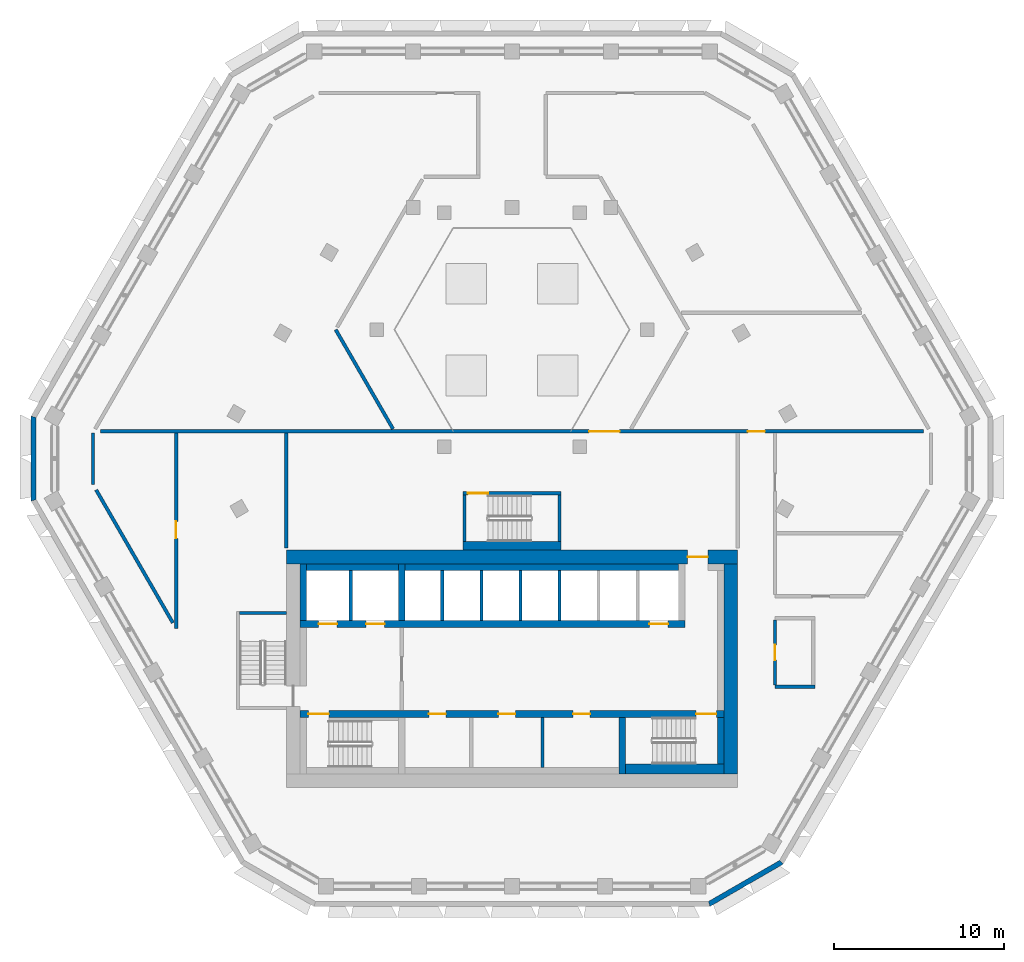
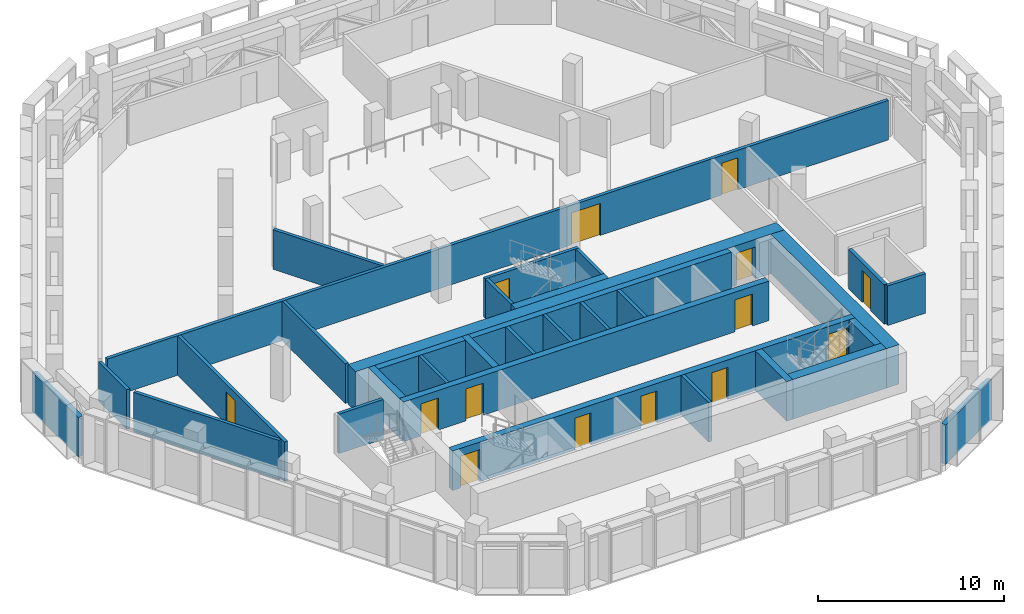
# One storey, part 12 of 22: 32 walls, 14 doors, 14 openings.
"""IFC4 building model written with IfcOpenShell, lengths in metres."""

from ifc_helpers import new_model, si_unit, direction, frame, frame_2d, origin, place, context, subcontext, project, spatial, polyline, rectangle, outline, extrude, material, layer, layer_set, type_object, element, fill, save


model = new_model("IFC4")

# Units and contexts
model_context = context("Model", 3, precision=1e-05, world=origin(), true_north=direction((0.0, 1.0)))
body_context = subcontext(model_context, "Body", "Model", "MODEL_VIEW")
ifc_project = project(units=[si_unit("LENGTHUNIT", "METRE"), si_unit("AREAUNIT", "SQUARE_METRE"), si_unit("VOLUMEUNIT", "CUBIC_METRE"), si_unit("PLANEANGLEUNIT", "RADIAN"), si_unit("MASSUNIT", "GRAM", prefix="KILO")], contexts=[model_context])

# Site, building, storey
site_placement = place(None, origin())
site = spatial("IfcSite", under=ifc_project, at=site_placement, CompositionType="ELEMENT")
building_placement = place(site_placement, origin())
building = spatial("IfcBuilding", under=site, at=building_placement, Name="Beryl Residences", CompositionType="ELEMENT")
storey_placement = place(building_placement, frame((0.0, 0.0, 153.60009765625)))
storey = spatial("IfcBuildingStorey", under=building, at=storey_placement, Name="L47", CompositionType="ELEMENT", Elevation=153.60009765625)

# Walls
ifc_material_1 = material(Name="Composite metal panel with mineral wool insulation")
ifc_layer_1 = layer(ifc_material_1, 0.300048828125)
ifc_layer_set_1 = layer_set([ifc_layer_1], Name="ES1 pale metal composite panel wall 300 mm")
wall_type_1 = type_object("IfcWallType", Name="ES1 pale metal composite panel wall 300 mm", PredefinedType="SOLIDWALL", material=ifc_layer_set_1)
for number, where, z_axis, x_axis, name in (
    (1, (-28.197998046875, 2.89990234375, 0.0), (0.0, 0.0, 1.0), (0.0, -1.0, 0.0), "ES1 external wall L47 NW-SW"),
    (2, (11.5869140625, -25.8701171875, 0.0), (0.0, 0.0, 1.0), (0.866022959057, 0.500004234368, 0.0), "ES1 external wall L47 S-SE"),
):
    element("IfcWall", number, at=place(storey_placement, frame(where, z_axis=z_axis, x_axis=x_axis)), inside=storey, type_object=wall_type_1, Name=name, PredefinedType="SOLIDWALL", context=body_context, shape_type="SweptSolid", body=[
        extrude(outline(polyline([(0.0, -0.14990234375), (5.0, -0.14990234375), (4.919677734375, 0.14990234375), (0.080322265625, 0.14990234375), (0.0, -0.14990234375)])), origin(), (0.0, 0.0, 1.0), 2.599853515625),
    ])
ifc_material_2 = material(Name="Cement board with tiles")
ifc_layer_2 = layer(ifc_material_2, 0.199951171875)
ifc_layer_set_2 = layer_set([ifc_layer_2], Name="PT11-200 wet area wall 200 mm")
wall_type_2 = type_object("IfcWallType", Name="PT11-200 wet area wall 200 mm", PredefinedType="PARTITIONING", material=ifc_layer_set_2)
wall_1_placement = place(storey_placement, frame((15.5, -13.052001953125, 0.0), z_axis=(0.0, 0.0, 1.0), x_axis=(1.0, 0.0, 0.0)))
element("IfcWall", 3, at=wall_1_placement, inside=storey, type_object=wall_type_2, Name="Wall PT11-200 L47 001", PredefinedType="PARTITIONING", context=body_context, shape_type="SweptSolid", body=[
    extrude(rectangle(XDim=2.35009765625, YDim=0.199951171875, at=frame_2d((1.175048828125, 0.0))), origin(), (0.0, 0.0, 1.0), 2.599853515625),
])

# Wall, opening, door
wall_2_placement = place(storey_placement, frame((15.5, -12.951904296875, 0.0), z_axis=(0.0, 0.0, 1.0), x_axis=(0.0, 1.0, 0.0)))
wall_2 = element("IfcWall", 4, at=wall_2_placement, inside=storey, type_object=wall_type_2, Name="Wall PT11-200 L47 003", PredefinedType="PARTITIONING", context=body_context, shape_type="SweptSolid", body=[
    extrude(rectangle(XDim=3.851806640625, YDim=0.199951171875, at=frame_2d((1.92578125, 0.0))), origin(), (0.0, 0.0, 1.0), 2.599853515625),
])
opening_1_placement = place(wall_2_placement, frame((2.3759765625, 0.0, 0.0), z_axis=(0.0, 0.0, 1.0), x_axis=(-1.0, 0.0, 0.0)))
opening_1 = element("IfcOpeningElement", 5, at=opening_1_placement, cuts=wall_2, Name="Opening L47-02", PredefinedType="OPENING", context=body_context, shape_type="SweptSolid", body=[
    extrude(rectangle(XDim=0.89990234375, YDim=2.10009765625, at=frame_2d((0.449951171875, 1.050048828125))), frame((0.0, 0.10986328125, 0.0), z_axis=(0.0, -1.0, 0.0), x_axis=(1.0, 0.0, 0.0)), (0.0, 0.0, 1.0), 0.219970703125),
])
ifc_material_3 = material(Name="Timber door leaf", Category="wood")
door_type_1 = type_object("IfcDoorType", Name="D2 room door 900 x 2100 mm", OperationType="SINGLE_SWING_LEFT", PredefinedType="DOOR", material=ifc_material_3)
door_1_placement = place(opening_1_placement, origin())
door_1 = element("IfcDoor", 6, at=door_1_placement, inside=storey, type_object=door_type_1, Name="Door L47-02 L47 001", OperationType="SINGLE_SWING_LEFT", OverallHeight=2.10009765625, OverallWidth=0.89990234375, PredefinedType="DOOR", context=body_context, shape_type="SweptSolid", body=[
    extrude(rectangle(XDim=0.89990234375, YDim=2.10009765625, at=frame_2d((0.449951171875, 1.050048828125))), frame((0.0, 0.02490234375, 0.0), z_axis=(0.0, -1.0, 0.0), x_axis=(1.0, 0.0, 0.0)), (0.0, 0.0, 1.0), 0.050048828125),
])
fill(opening_1, door_1)

# Wall
ifc_material_4 = material(Name="Double stud gypsum board wall")
ifc_layer_3 = layer(ifc_material_4, 0.199951171875)
ifc_layer_set_3 = layer_set([ifc_layer_3], Name="PT4 corridor wall 200 mm double stud")
wall_type_3 = type_object("IfcWallType", Name="PT4 corridor wall 200 mm double stud", PredefinedType="PARTITIONING", material=ifc_layer_set_3)
wall_3_placement = place(storey_placement, frame((-13.300048828125, -4.8798828125, 0.0), z_axis=(0.0, 0.0, 1.0), x_axis=(0.0, 1.0, 0.0)))
element("IfcWall", 7, at=wall_3_placement, inside=storey, type_object=wall_type_3, Name="Wall PT4 L47 001", PredefinedType="PARTITIONING", context=body_context, shape_type="SweptSolid", body=[
    extrude(rectangle(XDim=6.77978515625, YDim=0.199951171875, at=frame_2d((3.389892578125, 0.0))), origin(), (0.0, 0.0, 1.0), 2.599853515625),
])

# Wall, opening, door
ifc_material_5 = material(Name="Concrete C40/50", Category="concrete")
ifc_layer_4 = layer(ifc_material_5, 0.199951171875)
ifc_layer_set_4 = layer_set([ifc_layer_4], Name="PT5 stair enclosure wall 200 mm reinforced concrete C40/50")
wall_type_4 = type_object("IfcWallType", Name="PT5 stair enclosure wall 200 mm reinforced concrete C40/50", PredefinedType="SOLIDWALL", material=ifc_layer_set_4)
wall_4_placement = place(storey_placement, frame((-2.89990234375, -1.64990234375, 0.0), z_axis=(0.0, 0.0, 1.0), x_axis=(1.0, 0.0, 0.0)))
wall_4 = element("IfcWall", 8, at=wall_4_placement, inside=storey, type_object=wall_type_4, Name="Wall PT5 L47 001", PredefinedType="SOLIDWALL", context=body_context, shape_type="SweptSolid", body=[
    extrude(rectangle(XDim=5.7998046875, YDim=0.199951171875, at=frame_2d((2.89990234375, 0.0))), origin(), (0.0, 0.0, 1.0), 2.599853515625),
])
opening_2_placement = place(wall_4_placement, frame((0.300048828125, 0.0, 0.0)))
opening_2 = element("IfcOpeningElement", 9, at=opening_2_placement, cuts=wall_4, Name="Opening DS04", PredefinedType="OPENING", context=body_context, shape_type="SweptSolid", body=[
    extrude(rectangle(XDim=1.199951171875, YDim=2.10009765625, at=frame_2d((0.60009765625, 1.050048828125))), frame((0.0, 0.10986328125, 0.0), z_axis=(0.0, -1.0, 0.0), x_axis=(1.0, 0.0, 0.0)), (0.0, 0.0, 1.0), 0.219970703125),
])
ifc_material_6 = material(Name="Steel door leaf in steel frame", Category="steel")
door_type_2 = type_object("IfcDoorType", Name="D4 stair door 1200 x 2100 mm", OperationType="SINGLE_SWING_LEFT", PredefinedType="DOOR", material=ifc_material_6)
door_2_placement = place(opening_2_placement, origin())
door_2 = element("IfcDoor", 10, at=door_2_placement, inside=storey, type_object=door_type_2, Name="Door DS04 L47 001", OperationType="SINGLE_SWING_LEFT", OverallHeight=2.10009765625, OverallWidth=1.199951171875, PredefinedType="DOOR", context=body_context, shape_type="SweptSolid", body=[
    extrude(rectangle(XDim=1.199951171875, YDim=2.10009765625, at=frame_2d((0.60009765625, 1.050048828125))), frame((0.0, 0.02490234375, 0.0), z_axis=(0.0, -1.0, 0.0), x_axis=(1.0, 0.0, 0.0)), (0.0, 0.0, 1.0), 0.050048828125),
])
fill(opening_2, door_2)

# Walls
for number, where, z_axis, x_axis, name in (
    (11, (-2.800048828125, -4.5, 0.0), (0.0, 0.0, 1.0), (0.0, 1.0, 0.0), "Wall PT5 L47 002"),
    (12, (2.800048828125, -4.5, 0.0), (0.0, 0.0, 1.0), (0.0, 1.0, 0.0), "Wall PT5 L47 003"),
    (13, (-16.050048828125, -8.699951171875, 0.0), (0.0, 0.0, 1.0), (1.0, 0.0, 0.0), "Stair wall 03"),
):
    element("IfcWall", number, at=place(storey_placement, frame(where, z_axis=z_axis, x_axis=x_axis)), inside=storey, type_object=wall_type_4, Name=name, PredefinedType="SOLIDWALL", context=body_context, shape_type="SweptSolid", body=[
        extrude(rectangle(XDim=2.75, YDim=0.199951171875, at=frame_2d((1.375, 0.0))), origin(), (0.0, 0.0, 1.0), 2.599853515625),
    ])
ifc_material_7 = material(Name="Concrete C40/50", Category="concrete")
ifc_layer_5 = layer(ifc_material_7, 0.39990234375)
ifc_layer_set_5 = layer_set([ifc_layer_5], Name="PT5-400 stair enclosure wall 400 mm")
wall_type_5 = type_object("IfcWallType", Name="PT5-400 stair enclosure wall 400 mm", PredefinedType="SOLIDWALL", material=ifc_layer_set_5)
wall_5_placement = place(storey_placement, frame((12.300048828125, -17.60009765625, 0.0), z_axis=(0.0, 0.0, 1.0), x_axis=(0.0, 1.0, 0.0)))
element("IfcWall", 14, at=wall_5_placement, inside=storey, type_object=wall_type_5, Name="Stair wall 24", PredefinedType="SOLIDWALL", context=body_context, shape_type="SweptSolid", body=[
    extrude(rectangle(XDim=2.75, YDim=0.39990234375, at=frame_2d((1.375, 0.0))), origin(), (0.0, 0.0, 1.0), 2.599853515625),
])
ifc_material_8 = material(Name="Concrete C40/50", Category="concrete")
ifc_layer_6 = layer(ifc_material_8, 0.5)
ifc_layer_set_6 = layer_set([ifc_layer_6], Name="PT5-500 stair enclosure wall 500 mm")
wall_type_6 = type_object("IfcWallType", Name="PT5-500 stair enclosure wall 500 mm", PredefinedType="SOLIDWALL", material=ifc_layer_set_6)
wall_6_placement = place(storey_placement, frame((-2.89990234375, -4.75, 0.0), z_axis=(0.0, 0.0, 1.0), x_axis=(1.0, 0.0, 0.0)))
element("IfcWall", 15, at=wall_6_placement, inside=storey, type_object=wall_type_6, Name="Wall PT5-500 L47 001", PredefinedType="SOLIDWALL", context=body_context, shape_type="SweptSolid", body=[
    extrude(rectangle(XDim=5.7998046875, YDim=0.5, at=frame_2d((2.89990234375, 0.0))), origin(), (0.0, 0.0, 1.0), 2.599853515625),
])
ifc_material_9 = material(Name="Concrete C40/50", Category="concrete")
ifc_layer_7 = layer(ifc_material_9, 0.60009765625)
ifc_layer_set_7 = layer_set([ifc_layer_7], Name="PT5-600 stair enclosure wall 600 mm")
wall_type_7 = type_object("IfcWallType", Name="PT5-600 stair enclosure wall 600 mm", PredefinedType="SOLIDWALL", material=ifc_layer_set_7)
wall_7_placement = place(storey_placement, frame((6.699951171875, -17.89990234375, 0.0), z_axis=(0.0, 0.0, 1.0), x_axis=(1.0, 0.0, 0.0)))
element("IfcWall", 16, at=wall_7_placement, inside=storey, type_object=wall_type_7, Name="Stair wall 21", PredefinedType="SOLIDWALL", context=body_context, shape_type="SweptSolid", body=[
    extrude(rectangle(XDim=5.800048828125, YDim=0.60009765625, at=frame_2d((2.89990234375, 0.0))), origin(), (0.0, 0.0, 1.0), 2.599853515625),
])
ifc_material_10 = material(Name="Concrete C40/50", Category="concrete")
ifc_layer_8 = layer(ifc_material_10, 0.199951171875)
ifc_layer_set_8 = layer_set([ifc_layer_8], Name="PT6 lift shaft wall 200 mm reinforced concrete C40/50")
wall_type_8 = type_object("IfcWallType", Name="PT6 lift shaft wall 200 mm reinforced concrete C40/50", PredefinedType="SOLIDWALL", material=ifc_layer_set_8)
for number, where, z_axis, x_axis, name in (
    (17, (-9.5, -9.14990234375, 0.0), (0.0, 0.0, 1.0), (0.0, 1.0, 0.0), "Lift shaft wall 10"),
    (18, (-4.10009765625, -9.14990234375, 0.0), (0.0, 0.0, 1.0), (0.0, 1.0, 0.0), "Lift shaft wall 14"),
    (19, (-1.800048828125, -9.14990234375, 0.0), (0.0, 0.0, 1.0), (0.0, 1.0, 0.0), "Lift shaft wall 16"),
    (20, (0.5, -9.14990234375, 0.0), (0.0, 0.0, 1.0), (0.0, 1.0, 0.0), "Lift shaft wall 17"),
    (21, (2.800048828125, -9.14990234375, 0.0), (0.0, 0.0, 1.0), (0.0, 1.0, 0.0), "Lift shaft wall 19"),
):
    element("IfcWall", number, at=place(storey_placement, frame(where, z_axis=z_axis, x_axis=x_axis)), inside=storey, type_object=wall_type_8, Name=name, PredefinedType="SOLIDWALL", context=body_context, shape_type="SweptSolid", body=[
        extrude(rectangle(XDim=2.949951171875, YDim=0.199951171875, at=frame_2d((1.47509765625, 0.0))), origin(), (0.0, 0.0, 1.0), 2.599853515625),
    ])
ifc_material_11 = material(Name="Concrete C40/50", Category="concrete")
ifc_layer_9 = layer(ifc_material_11, 0.39990234375)
ifc_layer_set_9 = layer_set([ifc_layer_9], Name="PT6-400 lift shaft wall 400 mm")
wall_type_9 = type_object("IfcWallType", Name="PT6-400 lift shaft wall 400 mm", PredefinedType="SOLIDWALL", material=ifc_layer_set_9)
wall_8_placement = place(storey_placement, frame((-12.300048828125, -9.14990234375, 0.0), z_axis=(0.0, 0.0, 1.0), x_axis=(0.0, 1.0, 0.0)))
element("IfcWall", 22, at=wall_8_placement, inside=storey, type_object=wall_type_9, Name="Lift shaft wall 06", PredefinedType="SOLIDWALL", context=body_context, shape_type="SweptSolid", body=[
    extrude(rectangle(XDim=3.349853515625, YDim=0.39990234375, at=frame_2d((1.6748046875, 0.0))), origin(), (0.0, 0.0, 1.0), 2.599853515625),
])
wall_9_placement = place(storey_placement, frame((-12.10009765625, -6.0, 0.0), z_axis=(0.0, 0.0, 1.0), x_axis=(1.0, 0.0, 0.0)))
element("IfcWall", 23, at=wall_9_placement, inside=storey, type_object=wall_type_9, Name="Lift shaft wall 08", PredefinedType="SOLIDWALL", context=body_context, shape_type="SweptSolid", body=[
    extrude(rectangle(XDim=5.400146484375, YDim=0.39990234375, at=frame_2d((2.7001953125, 0.0))), origin(), (0.0, 0.0, 1.0), 2.599853515625),
])
wall_10_placement = place(storey_placement, frame((-6.300048828125, -6.0, 0.0), z_axis=(0.0, 0.0, 1.0), x_axis=(1.0, 0.0, 0.0)))
element("IfcWall", 24, at=wall_10_placement, inside=storey, type_object=wall_type_9, Name="Lift shaft wall 13", PredefinedType="SOLIDWALL", context=body_context, shape_type="SweptSolid", body=[
    extrude(rectangle(XDim=16.10009765625, YDim=0.39990234375, at=frame_2d((8.050048828125, 0.0))), origin(), (0.0, 0.0, 1.0), 2.599853515625),
])
ifc_material_12 = material(Name="Concrete masonry", Category="masonry")
ifc_layer_10 = layer(ifc_material_12, 0.199951171875)
ifc_layer_set_10 = layer_set([ifc_layer_10], Name="PT8-200 service room wall 200 mm")
wall_type_10 = type_object("IfcWallType", Name="PT8-200 service room wall 200 mm", PredefinedType="PARTITIONING", material=ifc_layer_set_10)
wall_11_placement = place(storey_placement, frame((1.800048828125, -17.800048828125, 0.0), z_axis=(0.0, 0.0, 1.0), x_axis=(0.0, 1.0, 0.0)))
element("IfcWall", 25, at=wall_11_placement, inside=storey, type_object=wall_type_10, Name="Core room wall 18", PredefinedType="PARTITIONING", context=body_context, shape_type="SweptSolid", body=[
    extrude(rectangle(XDim=2.949951171875, YDim=0.199951171875, at=frame_2d((1.47509765625, 0.0))), origin(), (0.0, 0.0, 1.0), 2.599853515625),
])

# Wall, openings, doors
ifc_material_13 = material(Name="Concrete C40/50", Category="concrete")
ifc_layer_11 = layer(ifc_material_13, 0.199951171875)
ifc_layer_set_11 = layer_set([ifc_layer_11], Name="PT9-200 plant room wall 200 mm")
wall_type_11 = type_object("IfcWallType", Name="PT9-200 plant room wall 200 mm", PredefinedType="SOLIDWALL", material=ifc_layer_set_11)
wall_12_placement = place(storey_placement, frame((-24.2529296875, 2.0, 0.0), z_axis=(0.0, 0.0, 1.0), x_axis=(1.0, 0.0, 0.0)))
wall_12 = element("IfcWall", 26, at=wall_12_placement, inside=storey, type_object=wall_type_11, Name="Wall PT9-200 L47 002", PredefinedType="SOLIDWALL", context=body_context, shape_type="SweptSolid", body=[
    extrude(rectangle(XDim=48.505859375, YDim=0.199951171875, at=frame_2d((24.2529296875, 0.0))), origin(), (0.0, 0.0, 1.0), 2.599853515625),
])
opening_3_placement = place(wall_12_placement, frame((38.153076171875, 0.0, 0.0)))
opening_3 = element("IfcOpeningElement", 27, at=opening_3_placement, cuts=wall_12, Name="Opening L47-05", PredefinedType="OPENING", context=body_context, shape_type="SweptSolid", body=[
    extrude(rectangle(XDim=1.0, YDim=2.10009765625, at=frame_2d((0.5, 1.050048828125))), frame((0.0, 0.10986328125, 0.0), z_axis=(0.0, -1.0, 0.0), x_axis=(1.0, 0.0, 0.0)), (0.0, 0.0, 1.0), 0.219970703125),
])
opening_4_placement = place(wall_12_placement, frame((28.801025390625, 0.0, 0.0)))
opening_4 = element("IfcOpeningElement", 28, at=opening_4_placement, cuts=wall_12, Name="Opening L47-08", PredefinedType="OPENING", context=body_context, shape_type="SweptSolid", body=[
    extrude(rectangle(XDim=1.800048828125, YDim=2.10009765625, at=frame_2d((0.89990234375, 1.050048828125))), frame((0.0, 0.10986328125, 0.0), z_axis=(0.0, -1.0, 0.0), x_axis=(1.0, 0.0, 0.0)), (0.0, 0.0, 1.0), 0.219970703125),
])
ifc_material_14 = material(Name="Steel door leaf in steel frame", Category="steel")
door_type_3 = type_object("IfcDoorType", Name="D16 plant room door 1000 x 2100 mm", OperationType="SINGLE_SWING_LEFT", PredefinedType="DOOR", material=ifc_material_14)
door_3_placement = place(opening_3_placement, origin())
door_3 = element("IfcDoor", 29, at=door_3_placement, inside=storey, type_object=door_type_3, Name="Door L47-05 L47 001", OperationType="SINGLE_SWING_LEFT", OverallHeight=2.10009765625, OverallWidth=1.0, PredefinedType="DOOR", context=body_context, shape_type="SweptSolid", body=[
    extrude(rectangle(XDim=1.0, YDim=2.10009765625, at=frame_2d((0.5, 1.050048828125))), frame((0.0, 0.02490234375, 0.0), z_axis=(0.0, -1.0, 0.0), x_axis=(1.0, 0.0, 0.0)), (0.0, 0.0, 1.0), 0.050048828125),
])
fill(opening_3, door_3)
ifc_material_15 = material(Name="Timber door leaf", Category="wood")
door_type_4 = type_object("IfcDoorType", Name="D20 corridor door 1800 x 2100 mm", OperationType="DOUBLE_DOOR_SINGLE_SWING", PredefinedType="DOOR", material=ifc_material_15)
door_4_placement = place(opening_4_placement, origin())
door_4 = element("IfcDoor", 30, at=door_4_placement, inside=storey, type_object=door_type_4, Name="Door L47-08 L47 001", OperationType="DOUBLE_DOOR_SINGLE_SWING", OverallHeight=2.10009765625, OverallWidth=1.800048828125, PredefinedType="DOOR", context=body_context, shape_type="SweptSolid", body=[
    extrude(rectangle(XDim=1.800048828125, YDim=2.10009765625, at=frame_2d((0.89990234375, 1.050048828125))), frame((0.0, 0.02490234375, 0.0), z_axis=(0.0, -1.0, 0.0), x_axis=(1.0, 0.0, 0.0)), (0.0, 0.0, 1.0), 0.050048828125),
])
fill(opening_4, door_4)

# Wall
wall_13_placement = place(storey_placement, frame((-24.697998046875, -1.1220703125, 0.0), z_axis=(0.0, 0.0, 1.0), x_axis=(0.0, 1.0, 0.0)))
element("IfcWall", 31, at=wall_13_placement, inside=storey, type_object=wall_type_11, Name="Wall PT9-200 L47 008", PredefinedType="SOLIDWALL", context=body_context, shape_type="SweptSolid", body=[
    extrude(rectangle(XDim=3.044189453125, YDim=0.199951171875, at=frame_2d((1.52197265625, 0.0))), origin(), (0.0, 0.0, 1.0), 2.599853515625),
])

# Wall, opening, door
wall_14_placement = place(storey_placement, frame((-19.800048828125, -9.60498046875, 0.0), z_axis=(0.0, 0.0, 1.0), x_axis=(0.0, 1.0, 0.0)))
wall_14 = element("IfcWall", 32, at=wall_14_placement, inside=storey, type_object=wall_type_11, Name="Wall PT9-200 L47 009", PredefinedType="SOLIDWALL", context=body_context, shape_type="SweptSolid", body=[
    extrude(rectangle(XDim=11.5048828125, YDim=0.199951171875, at=frame_2d((5.75244140625, 0.0))), origin(), (0.0, 0.0, 1.0), 2.599853515625),
])
opening_5_placement = place(wall_14_placement, frame((5.302001953125, 0.0, 0.0)))
opening_5 = element("IfcOpeningElement", 33, at=opening_5_placement, cuts=wall_14, Name="Opening L47-01", PredefinedType="OPENING", context=body_context, shape_type="SweptSolid", body=[
    extrude(rectangle(XDim=1.0, YDim=2.10009765625, at=frame_2d((0.5, 1.050048828125))), frame((0.0, 0.10986328125, 0.0), z_axis=(0.0, -1.0, 0.0), x_axis=(1.0, 0.0, 0.0)), (0.0, 0.0, 1.0), 0.219970703125),
])
door_5_placement = place(opening_5_placement, origin())
door_5 = element("IfcDoor", 34, at=door_5_placement, inside=storey, type_object=door_type_3, Name="Door L47-01 L47 001", OperationType="SINGLE_SWING_LEFT", OverallHeight=2.10009765625, OverallWidth=1.0, PredefinedType="DOOR", context=body_context, shape_type="SweptSolid", body=[
    extrude(rectangle(XDim=1.0, YDim=2.10009765625, at=frame_2d((0.5, 1.050048828125))), frame((0.0, 0.02490234375, 0.0), z_axis=(0.0, -1.0, 0.0), x_axis=(1.0, 0.0, 0.0)), (0.0, 0.0, 1.0), 0.050048828125),
])
fill(opening_5, door_5)

# Walls
wall_15_placement = place(storey_placement, frame((-24.510986328125, -1.445068359375, 0.0), z_axis=(0.0, 0.0, 1.0), x_axis=(0.499940434119, -0.866059791431, 0.0)))
element("IfcWall", 35, at=wall_15_placement, inside=storey, type_object=wall_type_11, Name="Wall PT9-200 L47 015", PredefinedType="SOLIDWALL", context=body_context, shape_type="SweptSolid", body=[
    extrude(rectangle(XDim=9.048828125, YDim=0.199951171875, at=frame_2d((4.5244140625, 0.0))), origin(), (0.0, 0.0, 1.0), 2.599853515625),
])
wall_16_placement = place(storey_placement, frame((-10.39208984375, 8.0, 0.0), z_axis=(0.0, 0.0, 1.0), x_axis=(0.500051862572, -0.865995458844, 0.0)))
element("IfcWall", 36, at=wall_16_placement, inside=storey, type_object=wall_type_11, Name="Wall PT9-200 L47 016", PredefinedType="SOLIDWALL", context=body_context, shape_type="SweptSolid", body=[
    extrude(rectangle(XDim=6.757568359375, YDim=0.199951171875, at=frame_2d((3.37890625, 0.0))), origin(), (0.0, 0.0, 1.0), 2.599853515625),
])

# Wall, opening, door
ifc_material_16 = material(Name="Concrete C60/75", Category="concrete")
ifc_layer_12 = layer(ifc_material_16, 0.800048828125)
ifc_layer_set_12 = layer_set([ifc_layer_12], Name="SW3 core outer wall 800 mm C60/75")
wall_type_12 = type_object("IfcWallType", Name="SW3 core outer wall 800 mm C60/75", PredefinedType="SHEAR", material=ifc_layer_set_12)
wall_17_placement = place(storey_placement, frame((-13.300048828125, -5.39990234375, 0.0), z_axis=(0.0, 0.0, 1.0), x_axis=(1.0, 0.0, 0.0)))
wall_17 = element("IfcWall", 37, at=wall_17_placement, inside=storey, type_object=wall_type_12, Name="Core wall N L47", PredefinedType="SHEAR", context=body_context, shape_type="SweptSolid", body=[
    extrude(rectangle(XDim=26.60009765625, YDim=0.800048828125, at=frame_2d((13.300048828125, 0.0))), origin(), (0.0, 0.0, 1.0), 2.599853515625),
])
opening_6_placement = place(wall_17_placement, frame((23.64990234375, 0.0, 0.0)))
opening_6 = element("IfcOpeningElement", 38, at=opening_6_placement, cuts=wall_17, Name="Opening FD-NORTH", PredefinedType="OPENING", context=body_context, shape_type="SweptSolid", body=[
    extrude(rectangle(XDim=1.199951171875, YDim=2.10009765625, at=frame_2d((0.60009765625, 1.050048828125))), frame((0.0, 0.409912109375, 0.0), z_axis=(0.0, -1.0, 0.0), x_axis=(1.0, 0.0, 0.0)), (0.0, 0.0, 1.0), 0.820068359375),
])
ifc_material_17 = material(Name="Steel door leaf in steel frame", Category="steel")
door_type_5 = type_object("IfcDoorType", Name="D22 lobby door 1200 x 2100 mm", OperationType="DOUBLE_DOOR_SINGLE_SWING", PredefinedType="DOOR", material=ifc_material_17)
door_6_placement = place(opening_6_placement, origin())
door_6 = element("IfcDoor", 39, at=door_6_placement, inside=storey, type_object=door_type_5, Name="Door FD-NORTH L47 001", OperationType="DOUBLE_DOOR_SINGLE_SWING", OverallHeight=2.10009765625, OverallWidth=1.199951171875, PredefinedType="DOOR", context=body_context, shape_type="SweptSolid", body=[
    extrude(rectangle(XDim=1.199951171875, YDim=2.10009765625, at=frame_2d((0.60009765625, 1.050048828125))), frame((0.0, 0.02490234375, 0.0), z_axis=(0.0, -1.0, 0.0), x_axis=(1.0, 0.0, 0.0)), (0.0, 0.0, 1.0), 0.050048828125),
])
fill(opening_6, door_6)

# Wall
wall_18_placement = place(storey_placement, frame((12.89990234375, -18.199951171875, 0.0), z_axis=(0.0, 0.0, 1.0), x_axis=(0.0, 1.0, 0.0)))
element("IfcWall", 40, at=wall_18_placement, inside=storey, type_object=wall_type_12, Name="Core wall E L47", PredefinedType="SHEAR", context=body_context, shape_type="SweptSolid", body=[
    extrude(rectangle(XDim=12.39990234375, YDim=0.800048828125, at=frame_2d((6.199951171875, 0.0))), origin(), (0.0, 0.0, 1.0), 2.599853515625),
])

# Wall, openings, doors
ifc_material_18 = material(Name="Concrete C60/75", Category="concrete")
ifc_layer_13 = layer(ifc_material_18, 0.39990234375)
ifc_layer_set_13 = layer_set([ifc_layer_13], Name="SW8 core internal wall 400 mm C60/75")
wall_type_13 = type_object("IfcWallType", Name="SW8 core internal wall 400 mm C60/75", PredefinedType="SHEAR", material=ifc_layer_set_13)
wall_19_placement = place(storey_placement, frame((-12.5, -14.64990234375, 0.0), z_axis=(0.0, 0.0, 1.0), x_axis=(1.0, 0.0, 0.0)))
wall_19 = element("IfcWall", 41, at=wall_19_placement, inside=storey, type_object=wall_type_13, Name="Core wall SP1 L47", PredefinedType="SHEAR", context=body_context, shape_type="SweptSolid", body=[
    extrude(rectangle(XDim=25.0, YDim=0.39990234375, at=frame_2d((12.5, 0.0))), origin(), (0.0, 0.0, 1.0), 2.599853515625),
])
opening_7_placement = place(wall_19_placement, frame((1.699951171875, 0.0, 0.0), z_axis=(0.0, 0.0, 1.0), x_axis=(-1.0, 0.0, 0.0)))
opening_7 = element("IfcOpeningElement", 42, at=opening_7_placement, cuts=wall_19, Name="Opening SD-1", PredefinedType="OPENING", context=body_context, shape_type="SweptSolid", body=[
    extrude(rectangle(XDim=1.199951171875, YDim=2.10009765625, at=frame_2d((0.60009765625, 1.050048828125))), frame((0.0, 0.2099609375, 0.0), z_axis=(0.0, -1.0, 0.0), x_axis=(1.0, 0.0, 0.0)), (0.0, 0.0, 1.0), 0.419921875),
])
opening_8_placement = place(wall_19_placement, frame((24.550048828125, 0.0, 0.0), z_axis=(0.0, 0.0, 1.0), x_axis=(-1.0, 0.0, 0.0)))
opening_8 = element("IfcOpeningElement", 43, at=opening_8_placement, cuts=wall_19, Name="Opening SD-3", PredefinedType="OPENING", context=body_context, shape_type="SweptSolid", body=[
    extrude(rectangle(XDim=1.199951171875, YDim=2.10009765625, at=frame_2d((0.60009765625, 1.050048828125))), frame((0.0, 0.2099609375, 0.0), z_axis=(0.0, -1.0, 0.0), x_axis=(1.0, 0.0, 0.0)), (0.0, 0.0, 1.0), 0.419921875),
])
opening_9_placement = place(wall_19_placement, frame((8.60009765625, 0.0, 0.0), z_axis=(0.0, 0.0, 1.0), x_axis=(-1.0, 0.0, 0.0)))
opening_9 = element("IfcOpeningElement", 44, at=opening_9_placement, cuts=wall_19, Name="Opening CD-D-S1", PredefinedType="OPENING", context=body_context, shape_type="SweptSolid", body=[
    extrude(rectangle(XDim=1.0, YDim=2.10009765625, at=frame_2d((0.5, 1.050048828125))), frame((0.0, 0.2099609375, 0.0), z_axis=(0.0, -1.0, 0.0), x_axis=(1.0, 0.0, 0.0)), (0.0, 0.0, 1.0), 0.419921875),
])
opening_10_placement = place(wall_19_placement, frame((12.699951171875, 0.0, 0.0), z_axis=(0.0, 0.0, 1.0), x_axis=(-1.0, 0.0, 0.0)))
opening_10 = element("IfcOpeningElement", 45, at=opening_10_placement, cuts=wall_19, Name="Opening CD-D-S2", PredefinedType="OPENING", context=body_context, shape_type="SweptSolid", body=[
    extrude(rectangle(XDim=1.0, YDim=2.10009765625, at=frame_2d((0.5, 1.050048828125))), frame((0.0, 0.2099609375, 0.0), z_axis=(0.0, -1.0, 0.0), x_axis=(1.0, 0.0, 0.0)), (0.0, 0.0, 1.0), 0.419921875),
])
opening_11_placement = place(wall_19_placement, frame((17.10009765625, 0.0, 0.0), z_axis=(0.0, 0.0, 1.0), x_axis=(-1.0, 0.0, 0.0)))
opening_11 = element("IfcOpeningElement", 46, at=opening_11_placement, cuts=wall_19, Name="Opening CD-D-S3", PredefinedType="OPENING", context=body_context, shape_type="SweptSolid", body=[
    extrude(rectangle(XDim=1.0, YDim=2.10009765625, at=frame_2d((0.5, 1.050048828125))), frame((0.0, 0.2099609375, 0.0), z_axis=(0.0, -1.0, 0.0), x_axis=(1.0, 0.0, 0.0)), (0.0, 0.0, 1.0), 0.419921875),
])
ifc_material_19 = material(Name="Steel door leaf in steel frame", Category="steel")
door_type_6 = type_object("IfcDoorType", Name="D18 service room door 1000 x 2100 mm", OperationType="SINGLE_SWING_LEFT", PredefinedType="DOOR", material=ifc_material_19)
door_7_placement = place(opening_9_placement, origin())
door_7 = element("IfcDoor", 47, at=door_7_placement, inside=storey, type_object=door_type_6, Name="Door CD-D-S1 L47 001", OperationType="SINGLE_SWING_RIGHT", OverallHeight=2.10009765625, OverallWidth=1.0, PredefinedType="DOOR", context=body_context, shape_type="SweptSolid", body=[
    extrude(rectangle(XDim=1.0, YDim=2.10009765625, at=frame_2d((0.5, 1.050048828125))), frame((0.0, 0.02490234375, 0.0), z_axis=(0.0, -1.0, 0.0), x_axis=(1.0, 0.0, 0.0)), (0.0, 0.0, 1.0), 0.050048828125),
])
fill(opening_9, door_7)
door_8_placement = place(opening_10_placement, origin())
door_8 = element("IfcDoor", 48, at=door_8_placement, inside=storey, type_object=door_type_6, Name="Door CD-D-S2 L47 001", OperationType="SINGLE_SWING_LEFT", OverallHeight=2.10009765625, OverallWidth=1.0, PredefinedType="DOOR", context=body_context, shape_type="SweptSolid", body=[
    extrude(rectangle(XDim=1.0, YDim=2.10009765625, at=frame_2d((0.5, 1.050048828125))), frame((0.0, 0.02490234375, 0.0), z_axis=(0.0, -1.0, 0.0), x_axis=(1.0, 0.0, 0.0)), (0.0, 0.0, 1.0), 0.050048828125),
])
fill(opening_10, door_8)
door_9_placement = place(opening_11_placement, origin())
door_9 = element("IfcDoor", 49, at=door_9_placement, inside=storey, type_object=door_type_6, Name="Door CD-D-S3 L47 001", OperationType="SINGLE_SWING_RIGHT", OverallHeight=2.10009765625, OverallWidth=1.0, PredefinedType="DOOR", context=body_context, shape_type="SweptSolid", body=[
    extrude(rectangle(XDim=1.0, YDim=2.10009765625, at=frame_2d((0.5, 1.050048828125))), frame((0.0, 0.02490234375, 0.0), z_axis=(0.0, -1.0, 0.0), x_axis=(1.0, 0.0, 0.0)), (0.0, 0.0, 1.0), 0.050048828125),
])
fill(opening_11, door_9)
door_10_placement = place(opening_7_placement, origin())
door_10 = element("IfcDoor", 50, at=door_10_placement, inside=storey, type_object=door_type_2, Name="Door SD-1 L47 001", OperationType="SINGLE_SWING_RIGHT", OverallHeight=2.10009765625, OverallWidth=1.199951171875, PredefinedType="DOOR", context=body_context, shape_type="SweptSolid", body=[
    extrude(rectangle(XDim=1.199951171875, YDim=2.10009765625, at=frame_2d((0.60009765625, 1.050048828125))), frame((0.0, 0.02490234375, 0.0), z_axis=(0.0, -1.0, 0.0), x_axis=(1.0, 0.0, 0.0)), (0.0, 0.0, 1.0), 0.050048828125),
])
fill(opening_7, door_10)
door_11_placement = place(opening_8_placement, origin())
door_11 = element("IfcDoor", 51, at=door_11_placement, inside=storey, type_object=door_type_2, Name="Door SD-3 L47 001", OperationType="SINGLE_SWING_RIGHT", OverallHeight=2.10009765625, OverallWidth=1.199951171875, PredefinedType="DOOR", context=body_context, shape_type="SweptSolid", body=[
    extrude(rectangle(XDim=1.199951171875, YDim=2.10009765625, at=frame_2d((0.60009765625, 1.050048828125))), frame((0.0, 0.02490234375, 0.0), z_axis=(0.0, -1.0, 0.0), x_axis=(1.0, 0.0, 0.0)), (0.0, 0.0, 1.0), 0.050048828125),
])
fill(opening_8, door_11)

wall_20_placement = place(storey_placement, frame((-12.5, -9.35009765625, 0.0), z_axis=(0.0, 0.0, 1.0), x_axis=(1.0, 0.0, 0.0)))
wall_20 = element("IfcWall", 52, at=wall_20_placement, inside=storey, type_object=wall_type_13, Name="Core wall SP2 L47", PredefinedType="SHEAR", context=body_context, shape_type="SweptSolid", body=[
    extrude(rectangle(XDim=22.699951171875, YDim=0.39990234375, at=frame_2d((11.35009765625, 0.0))), origin(), (0.0, 0.0, 1.0), 2.599853515625),
])
opening_12_placement = place(wall_20_placement, frame((1.10009765625, 0.0, 0.0)))
opening_12 = element("IfcOpeningElement", 53, at=opening_12_placement, cuts=wall_20, Name="Opening LD-FF1", PredefinedType="OPENING", context=body_context, shape_type="SweptSolid", body=[
    extrude(rectangle(XDim=1.10009765625, YDim=2.10009765625, at=frame_2d((0.550048828125, 1.050048828125))), frame((0.0, 0.2099609375, 0.0), z_axis=(0.0, -1.0, 0.0), x_axis=(1.0, 0.0, 0.0)), (0.0, 0.0, 1.0), 0.419921875),
])
opening_13_placement = place(wall_20_placement, frame((3.89990234375, 0.0, 0.0)))
opening_13 = element("IfcOpeningElement", 54, at=opening_13_placement, cuts=wall_20, Name="Opening LD-FF2", PredefinedType="OPENING", context=body_context, shape_type="SweptSolid", body=[
    extrude(rectangle(XDim=1.10009765625, YDim=2.10009765625, at=frame_2d((0.550048828125, 1.050048828125))), frame((0.0, 0.2099609375, 0.0), z_axis=(0.0, -1.0, 0.0), x_axis=(1.0, 0.0, 0.0)), (0.0, 0.0, 1.0), 0.419921875),
])
opening_14_placement = place(wall_20_placement, frame((20.60009765625, 0.0, 0.0)))
opening_14 = element("IfcOpeningElement", 55, at=opening_14_placement, cuts=wall_20, Name="Opening LD-SL1", PredefinedType="OPENING", context=body_context, shape_type="SweptSolid", body=[
    extrude(rectangle(XDim=1.10009765625, YDim=2.10009765625, at=frame_2d((0.550048828125, 1.050048828125))), frame((0.0, 0.2099609375, 0.0), z_axis=(0.0, -1.0, 0.0), x_axis=(1.0, 0.0, 0.0)), (0.0, 0.0, 1.0), 0.419921875),
])
ifc_material_20 = material(Name="Stainless steel sliding door", Category="steel")
door_type_7 = type_object("IfcDoorType", Name="LD1 lift landing door 1100 x 2100 mm", OperationType="DOUBLE_DOOR_SLIDING", PredefinedType="DOOR", material=ifc_material_20)
door_12_placement = place(opening_12_placement, origin())
door_12 = element("IfcDoor", 56, at=door_12_placement, inside=storey, type_object=door_type_7, Name="Lift landing door FF1", OperationType="DOUBLE_DOOR_SLIDING", OverallHeight=2.10009765625, OverallWidth=1.10009765625, PredefinedType="DOOR", context=body_context, shape_type="SweptSolid", body=[
    extrude(rectangle(XDim=1.10009765625, YDim=2.10009765625, at=frame_2d((0.550048828125, 1.050048828125))), frame((0.0, 0.02490234375, 0.0), z_axis=(0.0, -1.0, 0.0), x_axis=(1.0, 0.0, 0.0)), (0.0, 0.0, 1.0), 0.050048828125),
])
fill(opening_12, door_12)
door_13_placement = place(opening_13_placement, origin())
door_13 = element("IfcDoor", 57, at=door_13_placement, inside=storey, type_object=door_type_7, Name="Lift landing door FF2", OperationType="DOUBLE_DOOR_SLIDING", OverallHeight=2.10009765625, OverallWidth=1.10009765625, PredefinedType="DOOR", context=body_context, shape_type="SweptSolid", body=[
    extrude(rectangle(XDim=1.10009765625, YDim=2.10009765625, at=frame_2d((0.550048828125, 1.050048828125))), frame((0.0, 0.02490234375, 0.0), z_axis=(0.0, -1.0, 0.0), x_axis=(1.0, 0.0, 0.0)), (0.0, 0.0, 1.0), 0.050048828125),
])
fill(opening_13, door_13)
door_14_placement = place(opening_14_placement, origin())
door_14 = element("IfcDoor", 58, at=door_14_placement, inside=storey, type_object=door_type_7, Name="Lift landing door SL1", OperationType="DOUBLE_DOOR_SLIDING", OverallHeight=2.10009765625, OverallWidth=1.10009765625, PredefinedType="DOOR", context=body_context, shape_type="SweptSolid", body=[
    extrude(rectangle(XDim=1.10009765625, YDim=2.10009765625, at=frame_2d((0.550048828125, 1.050048828125))), frame((0.0, 0.02490234375, 0.0), z_axis=(0.0, -1.0, 0.0), x_axis=(1.0, 0.0, 0.0)), (0.0, 0.0, 1.0), 0.050048828125),
])
fill(opening_14, door_14)

# Walls
for number, where, z_axis, x_axis, name in (
    (59, (6.5, -18.199951171875, 0.0), (0.0, 0.0, 1.0), (0.0, 1.0, 0.0), "Core wall XS2 L47"),
    (60, (-6.5, -9.14990234375, 0.0), (0.0, 0.0, 1.0), (0.0, 1.0, 0.0), "Core wall XN1 L47"),
):
    element("IfcWall", number, at=place(storey_placement, frame(where, z_axis=z_axis, x_axis=x_axis)), inside=storey, type_object=wall_type_13, Name=name, PredefinedType="SHEAR", context=body_context, shape_type="SweptSolid", body=[
        extrude(rectangle(XDim=3.349853515625, YDim=0.39990234375, at=frame_2d((1.6748046875, 0.0))), origin(), (0.0, 0.0, 1.0), 2.599853515625),
    ])

save(model, "model.ifc")
